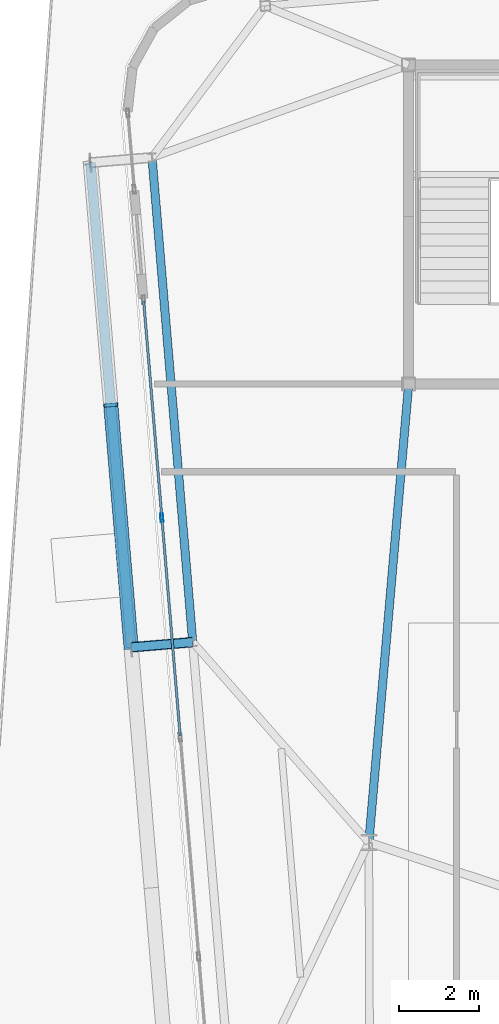
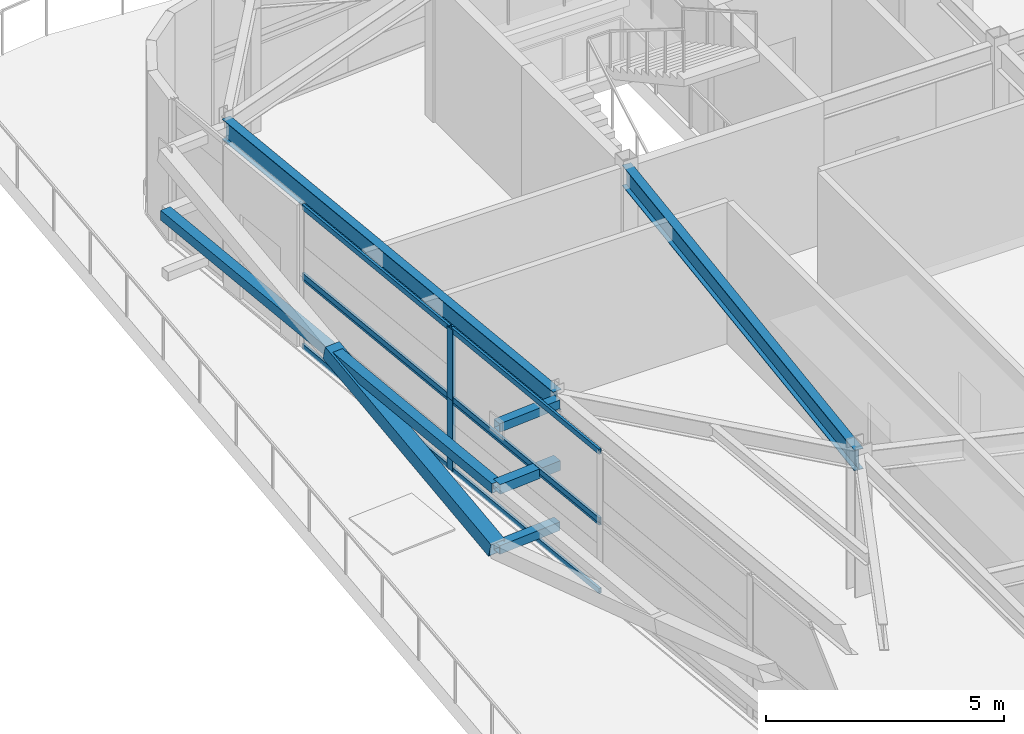
# One storey, part 11 of 38: 15 members, 2 beams, 2 elements without a shape of their own.
"""IFC4 building model written with IfcOpenShell, lengths in metres."""

from ifc_helpers import new_model, si_unit, direction, frame, origin, origin_2d, place, context, subcontext, project, spatial, hollow_rectangle, i_section, extrude, source, transform, mapped, material, layer, layer_set, material_profile, profile_set, type_object, element, aggregate, save


model = new_model("IFC4")

# Units and contexts
model_context = context("Model", 3, precision=1e-05, world=origin(), true_north=direction((0.0, 1.0)))
body_context = subcontext(model_context, "Body", "Model", "MODEL_VIEW")
ifc_project = project(units=[si_unit("LENGTHUNIT", "METRE"), si_unit("AREAUNIT", "SQUARE_METRE"), si_unit("VOLUMEUNIT", "CUBIC_METRE"), si_unit("PLANEANGLEUNIT", "RADIAN"), si_unit("MASSUNIT", "GRAM", prefix="KILO")], contexts=[model_context])

# Site, building, storey
site_placement = place(None, origin())
site = spatial("IfcSite", under=ifc_project, at=site_placement, CompositionType="ELEMENT")
building_placement = place(site_placement, origin())
building = spatial("IfcBuilding", under=site, at=building_placement, Name="Taldren Reach Tower", CompositionType="ELEMENT")
storey_placement = place(building_placement, frame((0.0, 0.0, 168.699951171875)))
storey = spatial("IfcBuildingStorey", under=building, at=storey_placement, Name="L51", CompositionType="ELEMENT", Elevation=168.699951171875)

# Beams
ifc_material_1 = material(Name="Steel Gr 350 (350PLUS)", Category="steel")
ifc_material_profile_1 = material_profile(ifc_material_1, i_section(OverallWidth=0.208984375, OverallDepth=0.532958984375, WebThickness=0.01025390625, FlangeThickness=0.015625, at=origin_2d()), Name="530UB92.4")
ifc_profile_set_1 = profile_set([ifc_material_profile_1], Name="Steel Gr 350 (350PLUS)")
beam_type_1 = type_object("IfcBeamType", Name="BM-UB530A", PredefinedType="BEAM", material=ifc_profile_set_1)
shared_shape_1 = source(origin(), body_context, "Body", "SweptSolid", [
    extrude(i_section(OverallWidth=0.208984375, OverallDepth=0.532958984375, WebThickness=0.01025390625, FlangeThickness=0.015625, at=origin_2d()), origin(), (0.0, 0.0, 1.0), 11.54345703125),
])
beam_1_placement = place(storey_placement, frame((19.0, 24.0, 3.363525390625), z_axis=(-0.086629616365, -0.996240588196, 0.0), x_axis=(0.996240588196, -0.086629616365, 0.0)))
element("IfcBeam", 1, at=beam_1_placement, inside=storey, type_object=beam_type_1, Name="Core-spine girder L51-SP09", PredefinedType="BEAM", context=body_context, shape_type="MappedRepresentation", body=[
    mapped(shared_shape_1, transform((0.0, 0.0, 0.0), scale=1.0)),
])
ifc_material_profile_2 = material_profile(ifc_material_1, i_section(OverallWidth=0.208984375, OverallDepth=0.528076171875, WebThickness=0.009521484375, FlangeThickness=0.01318359375, at=origin_2d()), Name="530UB82.0")
ifc_profile_set_2 = profile_set([ifc_material_profile_2], Name="Steel Gr 350 (350PLUS)")
beam_type_2 = type_object("IfcBeamType", Name="SP-UB530B", PredefinedType="SPANDREL", material=ifc_profile_set_2)
shared_shape_2 = source(origin(), body_context, "Body", "SweptSolid", [
    extrude(i_section(OverallWidth=0.208984375, OverallDepth=0.528076171875, WebThickness=0.009521484375, FlangeThickness=0.01318359375, at=origin_2d()), origin(), (0.0, 0.0, 1.0), 12.199951171875),
])
beam_2_placement = place(storey_placement, frame((12.56201171875, 29.682373046875, 3.365966796875), z_axis=(0.083668166953, -0.99649367175, 0.0), x_axis=(0.99649367175, 0.083668166953, 0.0)))
element("IfcBeam", 2, at=beam_2_placement, inside=storey, type_object=beam_type_2, Name="Perimeter spandrel B4 W3-W2 L51", PredefinedType="SPANDREL", context=body_context, shape_type="MappedRepresentation", body=[
    mapped(shared_shape_2, transform((0.0, 0.0, 0.0), scale=1.0)),
])

# Members
ifc_material_2 = material(Name="Steel Gr 450 (C450L0)", Category="steel")
ifc_material_profile_3 = material_profile(ifc_material_2, hollow_rectangle(XDim=0.219970703125, YDim=0.219970703125, WallThickness=0.00830078125, at=origin_2d()), Name="220x220x8.2SHS")
ifc_profile_set_3 = profile_set([ifc_material_profile_3], Name="Steel Gr 450 (C450L0)")
member_type_1 = type_object("IfcMemberType", Name="MB-TIE219", PredefinedType="STRUT", material=ifc_profile_set_3)
shared_shape_3 = source(origin(), body_context, "Body", "SweptSolid", [
    extrude(hollow_rectangle(XDim=0.219970703125, YDim=0.219970703125, WallThickness=0.00830078125, at=origin_2d()), origin(), (0.0, 0.0, 1.0), 1.54541015625),
])
for number, where, z_axis, x_axis, name in (
    (3, (13.578125, 17.52490234375, 3.35009765625), (-0.99648887425, -0.083725285883, 0.0), (0.083725285883, -0.99648887425, 0.0), "Exoskeleton diaphragm tie strut B4-W2 L51"),
    (4, (13.578125, 17.52490234375, 0.219970703125), (-0.99648887425, -0.083725285883, 0.0), (0.083725285883, -0.99648887425, 0.0), "Exoskeleton base diaphragm tie strut B4-W2 L51"),
):
    element("IfcMember", number, at=place(storey_placement, frame(where, z_axis=z_axis, x_axis=x_axis)), inside=storey, type_object=member_type_1, Name=name, PredefinedType="STRUT", context=body_context, shape_type="MappedRepresentation", body=[
        mapped(shared_shape_3, transform((0.0, 0.0, 0.0), scale=1.0)),
    ])
ifc_material_profile_4 = material_profile(ifc_material_2, hollow_rectangle(XDim=0.360107421875, YDim=0.360107421875, WallThickness=0.0126953125, at=origin_2d()), Name="360x360x12.7SHS")
ifc_profile_set_4 = profile_set([ifc_material_profile_4], Name="Steel Gr 450 (C450L0)")
member_type_2 = type_object("IfcMemberType", Name="MB-EXO356", PredefinedType="BRACE", material=ifc_profile_set_4)
shared_shape_4 = source(origin(), body_context, "Body", "SweptSolid", [
    extrude(hollow_rectangle(XDim=0.360107421875, YDim=0.360107421875, WallThickness=0.0126953125, at=origin_2d()), origin(), (0.0, 0.0, 1.0), 6.297607421875),
])
member_1_placement = place(storey_placement, frame((12.0380859375, 17.3955078125, 0.219970703125), z_axis=(-0.081023612459, 0.965227704787, 0.248537023672), x_axis=(-0.996495340012, -0.08364829547, 0.0)))
element("IfcMember", 5, at=member_1_placement, inside=storey, type_object=member_type_2, Name="Exoskeleton Diagrid Brace B4-W2 L51", PredefinedType="BRACE", context=body_context, shape_type="MappedRepresentation", body=[
    mapped(shared_shape_4, transform((0.0, 0.0, 0.0), scale=1.0)),
])
ifc_material_3 = material(Name="Steel Gr 350 (C350L0)", Category="steel")
ifc_material_profile_5 = material_profile(ifc_material_3, hollow_rectangle(XDim=0.25, YDim=0.25, WallThickness=0.010009765625, at=origin_2d()), Name="250x250x10.0SHS")
ifc_profile_set_5 = profile_set([ifc_material_profile_5], Name="Steel Gr 350 (C350L0)")
member_type_3 = type_object("IfcMemberType", Name="MB-POST250", PredefinedType="POST", material=ifc_profile_set_5)
shared_shape_5 = source(origin(), body_context, "Body", "SweptSolid", [
    extrude(hollow_rectangle(XDim=0.25, YDim=0.25, WallThickness=0.010009765625, at=origin_2d()), origin(), (0.0, 0.0, 1.0), 12.199951171875),
])
member_2_placement = place(storey_placement, frame((12.0380859375, 17.3955078125, 1.78515625), z_axis=(-0.083668166953, 0.99649367175, 0.0), x_axis=(-0.99649367175, -0.083668166953, 0.0)))
element("IfcMember", 6, at=member_2_placement, inside=storey, type_object=member_type_3, Name="Exoskeleton mid-height ring chord B4-W2 L51", PredefinedType="POST", context=body_context, shape_type="MappedRepresentation", body=[
    mapped(shared_shape_5, transform((0.0, 0.0, 0.0), scale=1.0)),
])
shared_shape_6 = source(origin(), body_context, "Body", "SweptSolid", [
    extrude(hollow_rectangle(XDim=0.25, YDim=0.25, WallThickness=0.010009765625, at=origin_2d()), origin(), (0.0, 0.0, 1.0), 1.54541015625),
])
member_3_placement = place(storey_placement, frame((13.578125, 17.52490234375, 1.78515625), z_axis=(-0.99648887425, -0.083725285883, 0.0), x_axis=(0.083725285883, -0.99648887425, 0.0)))
element("IfcMember", 7, at=member_3_placement, inside=storey, type_object=member_type_3, Name="Exoskeleton mid-tier diaphragm tie B4-W2 L51", PredefinedType="POST", context=body_context, shape_type="MappedRepresentation", body=[
    mapped(shared_shape_6, transform((0.0, 0.0, 0.0), scale=1.0)),
])

# Curtain wall, member
ifc_material_4 = material(Name="Aluminium and Low-E Glass Unitised System", Category="aluminium")
ifc_layer = layer(ifc_material_4, 0.159912109375)
ifc_layer_set = layer_set([ifc_layer], Name="Aluminium and Low-E Glass Unitised System")
curtain_wall_type = type_object("IfcCurtainWallType", Name="CW-SYS-7", PredefinedType="NOTDEFINED", material=ifc_layer_set)
curtain_wall_1_placement = place(storey_placement, origin())
curtain_wall_1 = element("IfcCurtainWall", 8, at=curtain_wall_1_placement, inside=storey, type_object=curtain_wall_type, Name="Unitised curtain wall CW-L51-W2", PredefinedType="NOTDEFINED")
ifc_material_5 = material(Name="Anodised Aluminium 6063-T6", Category="aluminium")
ifc_material_profile_6 = material_profile(ifc_material_5, hollow_rectangle(XDim=0.074951171875, YDim=0.2099609375, WallThickness=0.00439453125, at=origin_2d()), Name="ALU-210x75x4.5RHS")
ifc_profile_set_6 = profile_set([ifc_material_profile_6], Name="Anodised Aluminium 6063-T6")
member_type_4 = type_object("IfcMemberType", Name="CW-MUL-200", PredefinedType="MULLION", material=ifc_profile_set_6)
shared_shape_7 = source(origin(), body_context, "Body", "SweptSolid", [
    extrude(hollow_rectangle(XDim=0.074951171875, YDim=0.2099609375, WallThickness=0.00439453125, at=origin_2d()), origin(), (0.0, 0.0, 1.0), 1.81494140625),
])
member_4_placement = place(storey_placement, frame((12.808837890625, 20.646484375, 0.0), z_axis=(0.0, 0.0, 1.0), x_axis=(0.996492859829, 0.083677836428, 0.0)))
member_4 = element("IfcMember", 9, at=member_4_placement, type_object=member_type_4, Name="CW-7 mullion 2", PredefinedType="MULLION", context=body_context, shape_type="MappedRepresentation", body=[
    mapped(shared_shape_7, transform((0.0, 0.0, 0.0), scale=1.0)),
])

curtain_wall_2_placement = place(storey_placement, origin())
curtain_wall_2 = element("IfcCurtainWall", 10, at=curtain_wall_2_placement, inside=storey, type_object=curtain_wall_type, Name="Unitised curtain wall CW-L51-W2-T2", PredefinedType="NOTDEFINED")
shared_shape_8 = source(origin(), body_context, "Body", "SweptSolid", [
    extrude(hollow_rectangle(XDim=0.074951171875, YDim=0.2099609375, WallThickness=0.00439453125, at=origin_2d()), origin(), (0.0, 0.0, 1.0), 1.815185546875),
])
member_5_placement = place(storey_placement, frame((12.808837890625, 20.646484375, 1.81494140625), z_axis=(0.0, 0.0, 1.0), x_axis=(0.996492859829, 0.083677836428, 0.0)))
member_5 = element("IfcMember", 11, at=member_5_placement, type_object=member_type_4, Name="CW-7 mullion 2", PredefinedType="MULLION", context=body_context, shape_type="MappedRepresentation", body=[
    mapped(shared_shape_8, transform((0.0, 0.0, 0.0), scale=1.0)),
])

# Member
ifc_material_profile_7 = material_profile(ifc_material_5, hollow_rectangle(XDim=0.06005859375, YDim=0.135009765625, WallThickness=0.00341796875, at=origin_2d()), Name="ALU-135x60x3.5RHS")
ifc_profile_set_7 = profile_set([ifc_material_profile_7], Name="Anodised Aluminium 6063-T6")
member_type_5 = type_object("IfcMemberType", Name="CW-TRN-150", PredefinedType="USERDEFINED", material=ifc_profile_set_7)
shared_shape_9 = source(origin(), body_context, "Body", "SweptSolid", [
    extrude(hollow_rectangle(XDim=0.06005859375, YDim=0.135009765625, WallThickness=0.00341796875, at=origin_2d()), origin(), (0.0, 0.0, 1.0), 5.41259765625),
])
member_6_placement = place(storey_placement, frame((12.352783203125, 26.077392578125, 0.030029296875), z_axis=(0.083672599615, -0.996493299563, 0.0), x_axis=(0.996493299563, 0.083672599615, 0.0)))
member_6 = element("IfcMember", 12, at=member_6_placement, type_object=member_type_5, Name="CW-7 transom 1.1", ObjectType="TRANSOM", PredefinedType="USERDEFINED", context=body_context, shape_type="MappedRepresentation", body=[
    mapped(shared_shape_9, transform((0.0, 0.0, 0.0), scale=1.0)),
])

member_7_placement = place(storey_placement, frame((12.352783203125, 26.077392578125, 1.78515625), z_axis=(0.083672599615, -0.996493299563, 0.0), x_axis=(0.996493299563, 0.083672599615, 0.0)))
member_7 = element("IfcMember", 13, at=member_7_placement, type_object=member_type_5, Name="CW-7 transom 1.2", ObjectType="TRANSOM", PredefinedType="USERDEFINED", context=body_context, shape_type="MappedRepresentation", body=[
    mapped(shared_shape_9, transform((0.0, 0.0, 0.0), scale=1.0)),
])

member_8_placement = place(storey_placement, frame((12.352783203125, 26.077392578125, 1.844970703125), z_axis=(0.083672599615, -0.996493299563, 0.0), x_axis=(0.996493299563, 0.083672599615, 0.0)))
member_8 = element("IfcMember", 14, at=member_8_placement, type_object=member_type_5, Name="CW-7 transom 1.1", ObjectType="TRANSOM", PredefinedType="USERDEFINED", context=body_context, shape_type="MappedRepresentation", body=[
    mapped(shared_shape_9, transform((0.0, 0.0, 0.0), scale=1.0)),
])

member_9_placement = place(storey_placement, frame((12.352783203125, 26.077392578125, 3.60009765625), z_axis=(0.083672599615, -0.996493299563, 0.0), x_axis=(0.996493299563, 0.083672599615, 0.0)))
member_9 = element("IfcMember", 15, at=member_9_placement, type_object=member_type_5, Name="CW-7 transom 1.2", ObjectType="TRANSOM", PredefinedType="USERDEFINED", context=body_context, shape_type="MappedRepresentation", body=[
    mapped(shared_shape_9, transform((0.0, 0.0, 0.0), scale=1.0)),
])

shared_shape_10 = source(origin(), body_context, "Body", "SweptSolid", [
    extrude(hollow_rectangle(XDim=0.06005859375, YDim=0.135009765625, WallThickness=0.00341796875, at=origin_2d()), origin(), (0.0, 0.0, 1.0), 5.449951171875),
])
member_10_placement = place(storey_placement, frame((12.81201171875, 20.609130859375, 0.030029296875), z_axis=(0.083679407316, -0.996492727917, 0.0), x_axis=(0.996492727917, 0.083679407316, 0.0)))
member_10 = element("IfcMember", 16, at=member_10_placement, type_object=member_type_5, Name="CW-7 transom 2.1", ObjectType="TRANSOM", PredefinedType="USERDEFINED", context=body_context, shape_type="MappedRepresentation", body=[
    mapped(shared_shape_10, transform((0.0, 0.0, 0.0), scale=1.0)),
])

member_11_placement = place(storey_placement, frame((12.81201171875, 20.609130859375, 1.78515625), z_axis=(0.083679407316, -0.996492727917, 0.0), x_axis=(0.996492727917, 0.083679407316, 0.0)))
member_11 = element("IfcMember", 17, at=member_11_placement, type_object=member_type_5, Name="CW-7 transom 2.2", ObjectType="TRANSOM", PredefinedType="USERDEFINED", context=body_context, shape_type="MappedRepresentation", body=[
    mapped(shared_shape_10, transform((0.0, 0.0, 0.0), scale=1.0)),
])

aggregate(curtain_wall_1, [member_4, member_6, member_7, member_10, member_11])

member_12_placement = place(storey_placement, frame((12.81201171875, 20.609130859375, 1.844970703125), z_axis=(0.083679407316, -0.996492727917, 0.0), x_axis=(0.996492727917, 0.083679407316, 0.0)))
member_12 = element("IfcMember", 18, at=member_12_placement, type_object=member_type_5, Name="CW-7 transom 2.1", ObjectType="TRANSOM", PredefinedType="USERDEFINED", context=body_context, shape_type="MappedRepresentation", body=[
    mapped(shared_shape_10, transform((0.0, 0.0, 0.0), scale=1.0)),
])

member_13_placement = place(storey_placement, frame((12.81201171875, 20.609130859375, 3.60009765625), z_axis=(0.083679407316, -0.996492727917, 0.0), x_axis=(0.996492727917, 0.083679407316, 0.0)))
member_13 = element("IfcMember", 19, at=member_13_placement, type_object=member_type_5, Name="CW-7 transom 2.2", ObjectType="TRANSOM", PredefinedType="USERDEFINED", context=body_context, shape_type="MappedRepresentation", body=[
    mapped(shared_shape_10, transform((0.0, 0.0, 0.0), scale=1.0)),
])

aggregate(curtain_wall_2, [member_5, member_8, member_9, member_12, member_13])

save(model, "model.ifc")
